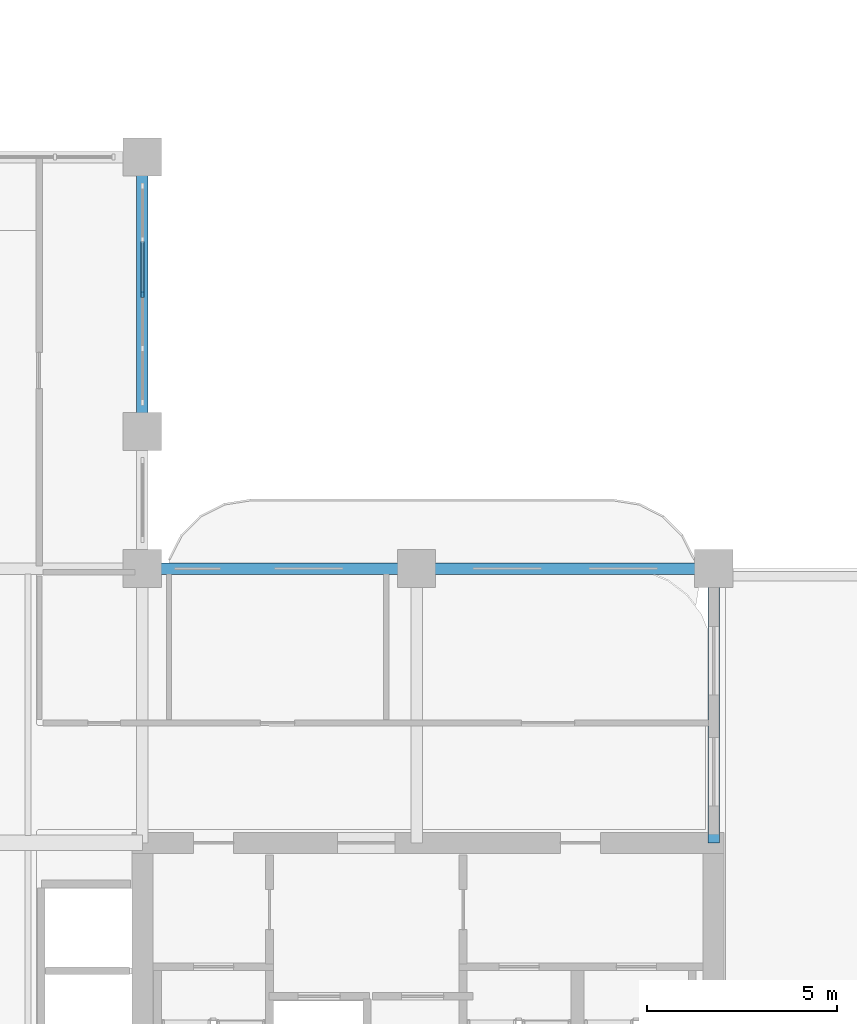
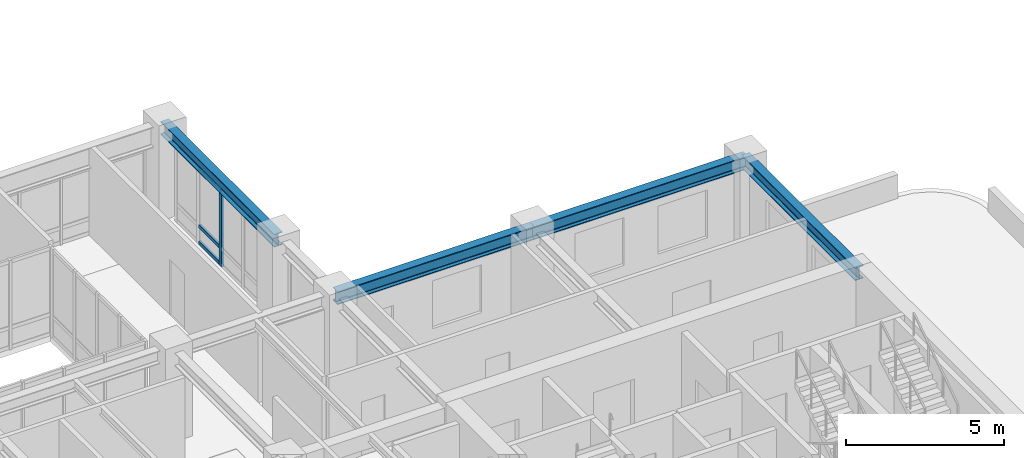
# One storey, part 4 of 20: 4 beams, 4 members, 1 element without a shape of its own.
"""IFC4 building model written with IfcOpenShell, lengths in metres."""

import ifcopenshell
import ifcopenshell.guid

model = None  # the IFC model being written
_history = None  # IfcOwnerHistory: only IFC2X3 demands one
_inside = {}  # id of a spatial element -> (the spatial element, [elements in it])
_under = {}  # id of a project, library or spatial element -> (it, [spatial elements below it])
_declared = {}  # id of a project -> (the project, [libraries it declares])
_typed = {}  # id of a type object -> (the type object, [elements of that type])
_made_of = {}  # id of a material, layer set ... -> (it, [elements and type objects made of it])


def new_model(schema):
    """Start an empty IFC model of exactly this schema.

    Asked for "IFC4X3", IfcOpenShell would pick the latest addendum, in which some entities
    have other attributes; the version numbers below select the first issue.
    IFC2X3 requires an IfcOwnerHistory on every rooted entity: one is made here for all.
    """
    global model, _history
    if schema == "IFC4X3":
        model = ifcopenshell.file(schema_version=(4, 3, 0, 0))
    else:
        model = ifcopenshell.file(schema=schema)
    _inside.clear()
    _under.clear()
    _declared.clear()
    _typed.clear()
    _made_of.clear()
    _history = None
    if model.schema == "IFC2X3":
        org = make("IfcOrganization", Name="unknown")
        user = make(
            "IfcPersonAndOrganization",
            ThePerson=make("IfcPerson", FamilyName="unknown"),
            TheOrganization=org,
        )
        app = make(
            "IfcApplication",
            ApplicationDeveloper=org,
            Version="unknown",
            ApplicationFullName="unknown",
            ApplicationIdentifier="unknown",
        )
        _history = make(
            "IfcOwnerHistory",
            OwningUser=user,
            OwningApplication=app,
            ChangeAction="ADDED",
            CreationDate=0,
        )
    return model


def make(cls, **values):
    """One entity of the class cls with the attributes given. An attribute that is None is left unset."""
    return model.create_entity(
        cls, **{name: value for name, value in values.items() if value is not None}
    )


def rooted(cls, **values):
    """An entity with a GlobalId (a new one), such as an element, a storey or a relation."""
    return make(cls, GlobalId=ifcopenshell.guid.new(), OwnerHistory=_history, **values)


def si_unit(unit_type, name, prefix=None):
    """IfcSIUnit, for example si_unit("LENGTHUNIT", "METRE", prefix="MILLI")."""
    return make("IfcSIUnit", UnitType=unit_type, Prefix=prefix, Name=name)


def derived_unit(unit_type, elements):
    """IfcDerivedUnit: a product of units, each with its exponent."""
    return make(
        "IfcDerivedUnit",
        Elements=[
            make("IfcDerivedUnitElement", Unit=unit, Exponent=power)
            for unit, power in elements
        ],
        UnitType=unit_type,
    )


def assignment(units):
    """IfcUnitAssignment: the units of a project."""
    return None if units is None else make("IfcUnitAssignment", Units=units)


def point(xyz):
    """IfcCartesianPoint."""
    return None if xyz is None else make("IfcCartesianPoint", Coordinates=xyz)


def direction(xyz):
    """IfcDirection."""
    return None if xyz is None else make("IfcDirection", DirectionRatios=xyz)


def frame(location, z_axis=None, x_axis=None):
    """IfcAxis2Placement3D, a coordinate frame: its origin and axes. An axis left out is left unset."""
    return make(
        "IfcAxis2Placement3D",
        Location=point(location),
        Axis=direction(z_axis),
        RefDirection=direction(x_axis),
    )


def frame_2d(location, x_axis=None):
    """IfcAxis2Placement2D, a coordinate frame in the plane: its origin and x axis."""
    return make(
        "IfcAxis2Placement2D", Location=point(location), RefDirection=direction(x_axis)
    )


def origin():
    """The frame at (0, 0, 0) with its axes left unset."""
    return frame((0.0, 0.0, 0.0))


def origin_2d():
    """The frame at (0, 0) in the plane with its x axis left unset."""
    return frame_2d((0.0, 0.0))


def place(relative_to, where):
    """IfcLocalPlacement: puts the frame where relative to a parent placement (None: the world)."""
    return make(
        "IfcLocalPlacement", PlacementRelTo=relative_to, RelativePlacement=where
    )


def context(
    kind, dimensions, precision=None, world=None, true_north=None, identifier=None
):
    """IfcGeometricRepresentationContext, for example the 3D "Model" context."""
    return make(
        "IfcGeometricRepresentationContext",
        ContextIdentifier=identifier,
        ContextType=kind,
        CoordinateSpaceDimension=dimensions,
        Precision=precision,
        WorldCoordinateSystem=world,
        TrueNorth=true_north,
    )


def subcontext(parent, identifier, kind, view, scale=None):
    """IfcGeometricRepresentationSubContext, for example "Body" below "Model"."""
    return make(
        "IfcGeometricRepresentationSubContext",
        ContextIdentifier=identifier,
        ContextType=kind,
        ParentContext=parent,
        TargetScale=scale,
        TargetView=view,
    )


def project(units=None, contexts=None):
    """IfcProject with its units and contexts."""
    return rooted(
        "IfcProject",
        Name="project",
        RepresentationContexts=contexts,
        UnitsInContext=assignment(units),
    )


def spatial(cls, under=None, at=None, **own):
    """A site, building, storey or space (cls), placed at a placement, below another one or the project."""
    s = rooted(cls, ObjectPlacement=at, **own)
    if under is not None:
        _under.setdefault(under.id(), (under, []))[1].append(s)
    return s


def profile(cls, at=None, kind="AREA", **sizes):
    """A parametric profile (cls). Its sizes go by their IFC names, for example OverallWidth=200.0."""
    return make(cls, ProfileType=kind, Position=at, **sizes)


def rectangle(**sizes):
    """IfcRectangleProfileDef."""
    return profile("IfcRectangleProfileDef", **sizes)


def i_section(**sizes):
    """IfcIShapeProfileDef."""
    return profile("IfcIShapeProfileDef", **sizes)


def extrude(swept, where, along, depth):
    """IfcExtrudedAreaSolid: the profile swept, set in the frame where, extruded along a direction by depth."""
    return make(
        "IfcExtrudedAreaSolid",
        SweptArea=swept,
        Position=where,
        ExtrudedDirection=direction(along),
        Depth=depth,
    )


def shape(context_of_items, identifier, shape_type, items):
    """IfcShapeRepresentation: the items that make up one representation, for example the "Body"."""
    return make(
        "IfcShapeRepresentation",
        ContextOfItems=context_of_items,
        RepresentationIdentifier=identifier,
        RepresentationType=shape_type,
        Items=items,
    )


def source(mapping_origin, context_of_items, identifier, shape_type, items):
    """IfcRepresentationMap: a shape defined once, which mapped items show again and again."""
    return make(
        "IfcRepresentationMap",
        MappingOrigin=mapping_origin,
        MappedRepresentation=shape(context_of_items, identifier, shape_type, items),
    )


def transform(
    local_origin,
    x_axis=None,
    y_axis=None,
    z_axis=None,
    scale=None,
    scale2=None,
    scale3=None,
    uniform=True,
):
    """IfcCartesianTransformationOperator3D, or its non-uniform kind. x_axis, y_axis, z_axis: its Axis1, 2, 3."""
    if uniform:
        return make(
            "IfcCartesianTransformationOperator3D",
            Axis1=direction(x_axis),
            Axis2=direction(y_axis),
            LocalOrigin=point(local_origin),
            Scale=scale,
            Axis3=direction(z_axis),
        )
    return make(
        "IfcCartesianTransformationOperator3DnonUniform",
        Axis1=direction(x_axis),
        Axis2=direction(y_axis),
        LocalOrigin=point(local_origin),
        Scale=scale,
        Axis3=direction(z_axis),
        Scale2=scale2,
        Scale3=scale3,
    )


def mapped(mapping_source, mapping_target):
    """IfcMappedItem: shows the shape of a source again, moved by a transform."""
    return make(
        "IfcMappedItem", MappingSource=mapping_source, MappingTarget=mapping_target
    )


def material(Name=None, Category=None):
    """IfcMaterial."""
    return make("IfcMaterial", Name=Name, Category=Category)


def layer(
    of_material, thickness, ventilated=None, Name=None, Category=None, Priority=None
):
    """IfcMaterialLayer: one layer of a wall or slab, of a material (None: an air gap)."""
    return make(
        "IfcMaterialLayer",
        Material=of_material,
        LayerThickness=thickness,
        IsVentilated=ventilated,
        Name=Name,
        Category=Category,
        Priority=Priority,
    )


def layer_set(layers, Name=None):
    """IfcMaterialLayerSet."""
    return make("IfcMaterialLayerSet", MaterialLayers=layers, LayerSetName=Name)


def material_profile(
    of_material, cross_section, Name=None, Category=None, Priority=None
):
    """IfcMaterialProfile: a cross section and its material."""
    return make(
        "IfcMaterialProfile",
        Name=Name,
        Material=of_material,
        Profile=cross_section,
        Priority=Priority,
        Category=Category,
    )


def profile_set(profiles, Name=None, composite=None):
    """IfcMaterialProfileSet."""
    return make(
        "IfcMaterialProfileSet",
        Name=Name,
        MaterialProfiles=profiles,
        CompositeProfile=composite,
    )


def made_of(thing, what):
    """Note that an element or type object is made of a material, layer set ...; save() writes the relation."""
    if what is not None:
        _made_of.setdefault(what.id(), (what, []))[1].append(thing)
    return thing


def type_object(cls, material=None, **own):
    """A type object (cls), such as IfcWallType, which elements share."""
    return made_of(rooted(cls, **own), material)


def type_shapes(of_type, sources):
    """Give a type object the sources (RepresentationMaps) that its elements show as mapped items."""
    of_type.RepresentationMaps = sources


def element(
    cls,
    number,
    at=None,
    inside=None,
    cuts=None,
    type_object=None,
    material=None,
    context=None,
    identifier="Body",
    shape_type=None,
    held_by="IfcProductDefinitionShape",
    body=None,
    shapes=None,
    **own,
):
    """One element of the class cls, such as IfcWall. Its Tag is "e" and its number.

    at: its placement. inside: the storey or other place that contains it. cuts: it is an
    opening in that element (IfcRelVoidsElement). A single representation is given by context,
    identifier, shape_type and body (its items); several are given by shapes. held_by: the class
    of the entity that holds the representations. save() writes the other relations.
    """
    e = rooted(cls, Tag="e%d" % number, ObjectPlacement=at, **own)
    if body is not None:
        shapes = [shape(context, identifier, shape_type, body)]
    if shapes is not None:
        e.Representation = make(held_by, Representations=shapes)
    if inside is not None:
        _inside.setdefault(inside.id(), (inside, []))[1].append(e)
    if cuts is not None:
        rooted(
            "IfcRelVoidsElement", RelatingBuildingElement=cuts, RelatedOpeningElement=e
        )
    if type_object is not None:
        _typed.setdefault(type_object.id(), (type_object, []))[1].append(e)
    return made_of(e, material)


def aggregate(whole, parts):
    """IfcRelAggregates: a whole, such as a stair, and the parts it consists of."""
    return rooted("IfcRelAggregates", RelatingObject=whole, RelatedObjects=parts)


def save(model, path):
    """Write the relations noted so far, then the file.

    IfcRelAggregates (storeys below a building ...), IfcRelContainedInSpatialStructure (elements
    in a storey), IfcRelDefinesByType, IfcRelAssociatesMaterial and IfcRelDeclares: one each for
    every whole, place, type object, material and project.
    """
    for whole, parts in _under.values():
        aggregate(whole, parts)
    for where, things in _inside.values():
        rooted(
            "IfcRelContainedInSpatialStructure",
            RelatedElements=things,
            RelatingStructure=where,
        )
    for kind, things in _typed.values():
        rooted("IfcRelDefinesByType", RelatedObjects=things, RelatingType=kind)
    for what, things in _made_of.values():
        rooted("IfcRelAssociatesMaterial", RelatedObjects=things, RelatingMaterial=what)
    for by, libraries in _declared.values():
        rooted("IfcRelDeclares", RelatingContext=by, RelatedDefinitions=libraries)
    model.write(path)


model = new_model("IFC4")

# Units and contexts
model_context = context("Model", 3, precision=1e-05, world=origin(), true_north=direction((0.0, 1.0)))
body_context = subcontext(model_context, "Body", "Model", "MODEL_VIEW")
ifc_project = project(units=[si_unit("LENGTHUNIT", "METRE"), si_unit("AREAUNIT", "SQUARE_METRE"), si_unit("VOLUMEUNIT", "CUBIC_METRE"), si_unit("PLANEANGLEUNIT", "RADIAN"), si_unit("MASSUNIT", "GRAM", prefix="KILO"), si_unit("THERMODYNAMICTEMPERATUREUNIT", "KELVIN"), si_unit("POWERUNIT", "WATT"), derived_unit("THERMALTRANSMITTANCEUNIT", [(si_unit("POWERUNIT", "WATT"), 1), (si_unit("AREAUNIT", "SQUARE_METRE"), -1), (si_unit("THERMODYNAMICTEMPERATUREUNIT", "KELVIN"), -1)])], contexts=[model_context])

# Site, building, storey
site_placement = place(None, origin())
site = spatial("IfcSite", under=ifc_project, at=site_placement, CompositionType="ELEMENT")
building_placement = place(site_placement, origin())
building = spatial("IfcBuilding", under=site, at=building_placement, Name="Zahravan Archway Hotel and Residences", CompositionType="ELEMENT")
storey_placement = place(building_placement, frame((0.0, 0.0, 111.800048828125)))
storey = spatial("IfcBuildingStorey", under=building, at=storey_placement, Name="L27", CompositionType="ELEMENT", Elevation=111.800048828125)

# Beams
ifc_material_1 = material(Name="Structural Steel S355JR", Category="steel")
ifc_material_profile_1 = material_profile(ifc_material_1, i_section(OverallWidth=0.300048828125, OverallDepth=0.5, WebThickness=0.014404296875, FlangeThickness=0.028076171875, FilletRadius=0.027099609375, at=origin_2d()), Name="HEB 500", Category="steel")
ifc_profile_set_1 = profile_set([ifc_material_profile_1], Name="Structural Steel S355JR")
beam_type = type_object("IfcBeamType", Name="BM-PRI-HEB500", PredefinedType="BEAM", material=ifc_profile_set_1)
shared_shape_1 = source(origin(), body_context, "Body", "SweptSolid", [
    extrude(i_section(OverallWidth=0.300048828125, OverallDepth=0.5, WebThickness=0.014404296875, FlangeThickness=0.028076171875, FilletRadius=0.027099609375, at=origin_2d()), origin(), (0.0, 0.0, 1.0), 7.2001953125),
])
type_shapes(beam_type, [shared_shape_1])
beam_1_placement = place(storey_placement, frame((49.800048828125, 14.39990234375, 3.199951171875), z_axis=(0.0, 1.0, 0.0), x_axis=(-1.0, 0.0, 0.0)))
element("IfcBeam", 1, at=beam_1_placement, inside=storey, type_object=beam_type, Name="L27 Primary Girder NS-45", PredefinedType="BEAM", context=body_context, shape_type="MappedRepresentation", body=[
    mapped(shared_shape_1, transform((0.0, 0.0, 0.0), scale=1.0)),
])
shared_shape_2 = source(origin(), body_context, "Body", "SweptSolid", [
    extrude(i_section(OverallWidth=0.300048828125, OverallDepth=0.5, WebThickness=0.014404296875, FlangeThickness=0.028076171875, FilletRadius=0.027099609375, at=origin_2d()), origin(), (0.0, 0.0, 1.0), 7.199951171875),
])
for number, where, z_axis, x_axis, name in (
    (2, (34.800048828125, 21.60009765625, 3.199951171875), (1.0, 0.0, 0.0), (0.0, 1.0, 0.0), "L27 Primary Girder EW-14"),
    (3, (34.800048828125, 25.199951171875, 3.199951171875), (0.0, 1.0, 0.0), (-1.0, 0.0, 0.0), "L27 Primary Girder NS-43"),
):
    element("IfcBeam", number, at=place(storey_placement, frame(where, z_axis=z_axis, x_axis=x_axis)), inside=storey, type_object=beam_type, Name=name, PredefinedType="BEAM", context=body_context, shape_type="MappedRepresentation", body=[
        mapped(shared_shape_2, transform((0.0, 0.0, 0.0), scale=1.0)),
    ])
shared_shape_3 = source(origin(), body_context, "Body", "SweptSolid", [
    extrude(i_section(OverallWidth=0.300048828125, OverallDepth=0.5, WebThickness=0.014404296875, FlangeThickness=0.028076171875, FilletRadius=0.027099609375, at=origin_2d()), origin(), (0.0, 0.0, 1.0), 7.800048828125),
])
beam_2_placement = place(storey_placement, frame((42.0, 21.60009765625, 3.199951171875), z_axis=(1.0, 0.0, 0.0), x_axis=(0.0, 1.0, 0.0)))
element("IfcBeam", 4, at=beam_2_placement, inside=storey, type_object=beam_type, Name="L27 Primary Girder EW-15", PredefinedType="BEAM", context=body_context, shape_type="MappedRepresentation", body=[
    mapped(shared_shape_3, transform((0.0, 0.0, 0.0), scale=1.0)),
])

# Curtain wall, members
ifc_material_2 = material(Name="Bronze-Anodized Unitised Aluminium & Low-E Glass", Category="aluminium")
ifc_layer = layer(ifc_material_2, 0.179931640625, Name="Bronze-Anodized Unitised Aluminium & Low-E Glass", Category="aluminium")
ifc_layer_set = layer_set([ifc_layer], Name="Bronze-Anodized Unitised Aluminium & Low-E Glass")
curtain_wall_type = type_object("IfcCurtainWallType", Name="CW-ATR-GLAZ", PredefinedType="NOTDEFINED", material=ifc_layer_set)
curtain_wall_placement = place(storey_placement, origin())
curtain_wall = element("IfcCurtainWall", 5, at=curtain_wall_placement, inside=storey, type_object=curtain_wall_type, Name="L27 Curtain Wall CW-L27-HNG-E-2", PredefinedType="NOTDEFINED")
ifc_material_3 = material(Name="Bronze-Anodized Extruded Aluminium", Category="aluminium")
ifc_material_profile_2 = material_profile(ifc_material_3, rectangle(XDim=0.080078125, YDim=0.139892578125, at=origin_2d()), Name="TRN 80x140", Category="aluminium")
ifc_profile_set_2 = profile_set([ifc_material_profile_2], Name="Bronze-Anodized Extruded Aluminium")
member_type_1 = type_object("IfcMemberType", Name="CWM-TRN-140", PredefinedType="USERDEFINED", material=ifc_profile_set_2)
shared_shape_4 = source(origin(), body_context, "Body", "SweptSolid", [
    extrude(rectangle(XDim=0.080078125, YDim=0.139892578125, at=origin_2d()), origin(), (0.0, 0.0, 1.0), 1.33984375),
])
member_1_placement = place(storey_placement, frame((34.800048828125, 28.840087890625, 0.070068359375), z_axis=(0.0, 1.0, 0.0), x_axis=(-1.0, 0.0, 0.0)))
member_1 = element("IfcMember", 6, at=member_1_placement, type_object=member_type_1, Name="CW-L27-HNG-E-2 Transom 2-1", ObjectType="TRANSOM", PredefinedType="USERDEFINED", context=body_context, shape_type="MappedRepresentation", body=[
    mapped(shared_shape_4, transform((0.0, 0.0, 0.0), scale=1.0)),
])
member_2_placement = place(storey_placement, frame((34.800048828125, 28.840087890625, 0.704345703125), z_axis=(0.0, 1.0, 0.0), x_axis=(-1.0, 0.0, 0.0)))
member_2 = element("IfcMember", 7, at=member_2_placement, type_object=member_type_1, Name="CW-L27-HNG-E-2 Transom 2-2", ObjectType="TRANSOM", PredefinedType="USERDEFINED", context=body_context, shape_type="MappedRepresentation", body=[
    mapped(shared_shape_4, transform((0.0, 0.0, 0.0), scale=1.0)),
])
member_3_placement = place(storey_placement, frame((34.800048828125, 28.840087890625, 2.864990234375), z_axis=(0.0, 1.0, 0.0), x_axis=(-1.0, 0.0, 0.0)))
member_3 = element("IfcMember", 8, at=member_3_placement, type_object=member_type_1, Name="CW-L27-HNG-E-2 Transom 2-3", ObjectType="TRANSOM", PredefinedType="USERDEFINED", context=body_context, shape_type="MappedRepresentation", body=[
    mapped(shared_shape_4, transform((0.0, 0.0, 0.0), scale=1.0)),
])
ifc_material_profile_3 = material_profile(ifc_material_3, rectangle(XDim=0.080078125, YDim=0.159912109375, at=origin_2d()), Name="MUL 80x160", Category="aluminium")
ifc_profile_set_3 = profile_set([ifc_material_profile_3], Name="Bronze-Anodized Extruded Aluminium")
member_type_2 = type_object("IfcMemberType", Name="CWM-MUL-160", PredefinedType="MULLION", material=ifc_profile_set_3)
shared_shape_5 = source(origin(), body_context, "Body", "SweptSolid", [
    extrude(rectangle(XDim=0.080078125, YDim=0.159912109375, at=origin_2d()), origin(), (0.0, 0.0, 1.0), 2.93505859375),
])
member_4_placement = place(storey_placement, frame((34.800048828125, 28.800048828125, 0.0), z_axis=(0.0, 0.0, 1.0), x_axis=(1.0, 0.0, 0.0)))
member_4 = element("IfcMember", 9, at=member_4_placement, type_object=member_type_2, Name="CW-L27-HNG-E-2 Mullion 2", PredefinedType="MULLION", context=body_context, shape_type="MappedRepresentation", body=[
    mapped(shared_shape_5, transform((0.0, 0.0, 0.0), scale=1.0)),
])
aggregate(curtain_wall, [member_4, member_1, member_2, member_3])

save(model, "model.ifc")
